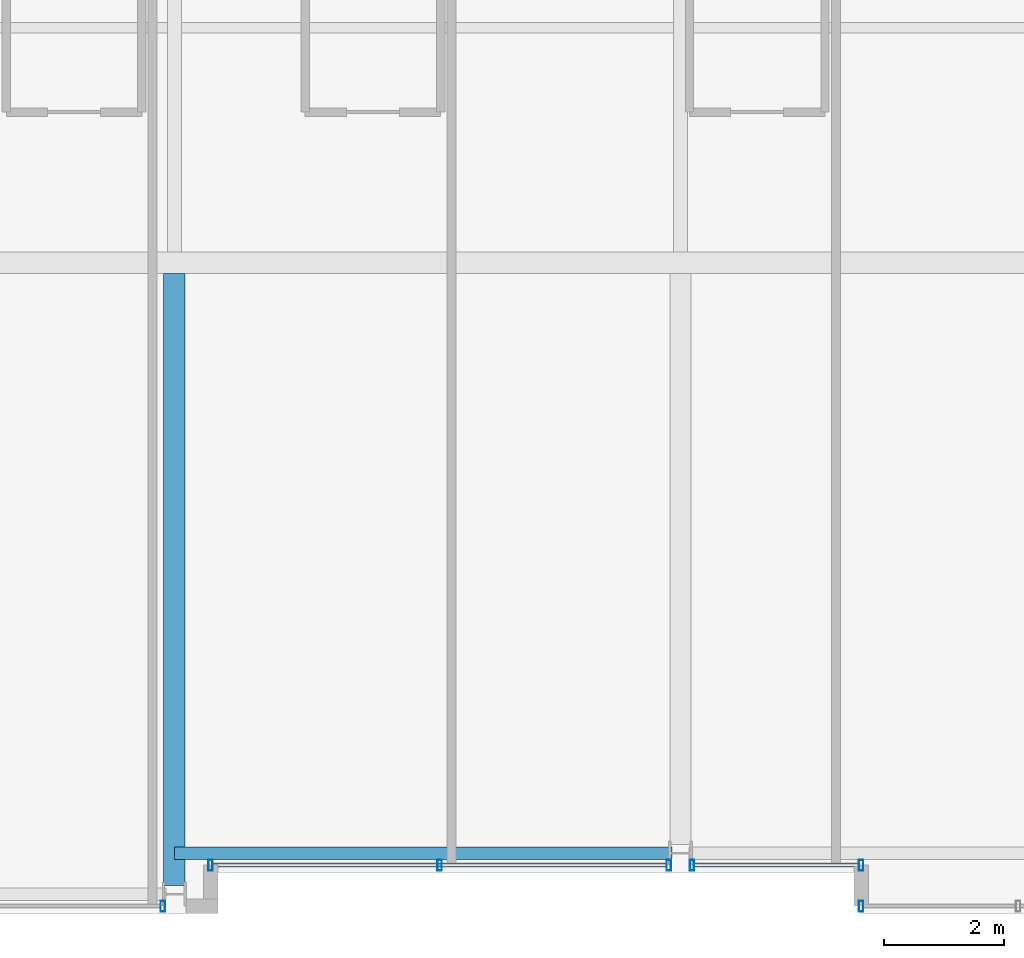
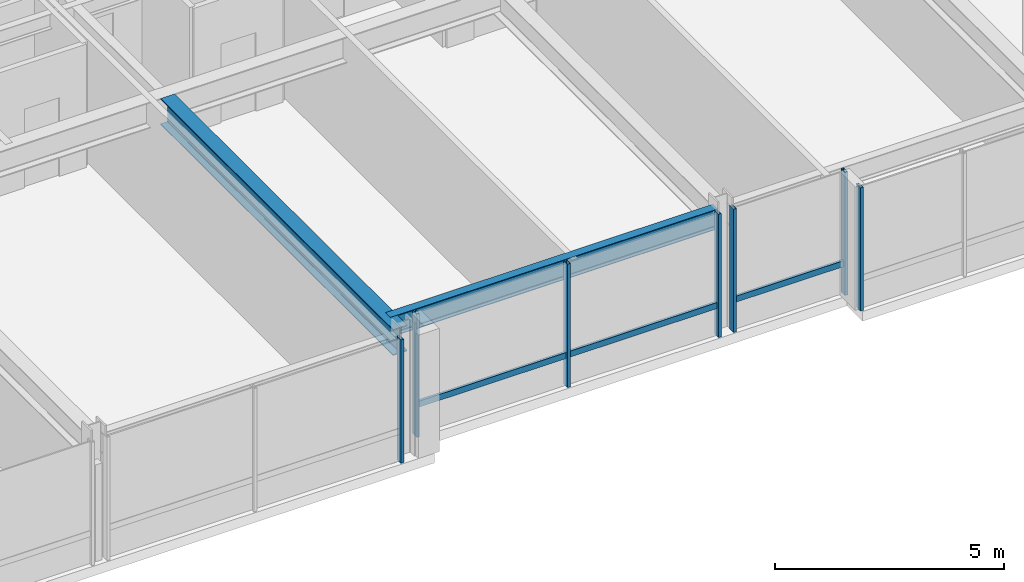
# One storey, part 5 of 33: 9 members, 2 beams, 4 elements without a shape of their own.
"""IFC4 building model written with IfcOpenShell, lengths in metres."""

from ifc_helpers import new_model, si_unit, direction, frame, origin, origin_2d, place, context, subcontext, project, spatial, hollow_rectangle, i_section, extrude, material, layer, layer_set, material_profile, profile_set, type_object, element, aggregate, save


model = new_model("IFC4")

# Units and contexts
model_context = context("Model", 3, precision=1e-05, world=origin(), true_north=direction((0.0, 1.0)))
body_context = subcontext(model_context, "Body", "Model", "MODEL_VIEW")
ifc_project = project(units=[si_unit("LENGTHUNIT", "METRE"), si_unit("AREAUNIT", "SQUARE_METRE"), si_unit("VOLUMEUNIT", "CUBIC_METRE"), si_unit("PLANEANGLEUNIT", "RADIAN"), si_unit("MASSUNIT", "GRAM", prefix="KILO")], contexts=[model_context])

# Site, building, storey
site_placement = place(None, origin())
site = spatial("IfcSite", under=ifc_project, at=site_placement, CompositionType="ELEMENT")
building_placement = place(site_placement, origin())
building = spatial("IfcBuilding", under=site, at=building_placement, Name="Drelvath Grand Hotel", CompositionType="ELEMENT")
storey_placement = place(building_placement, frame((0.0, 0.0, 178.800048828125)))
storey = spatial("IfcBuildingStorey", under=building, at=storey_placement, Name="L46", CompositionType="ELEMENT", Elevation=178.800048828125)

# Curtain wall, member
ifc_material_1 = material(Name="Brushed Pale-Silver Anodised Aluminium Frame", Category="aluminium")
ifc_layer = layer(ifc_material_1, 0.199951171875)
ifc_layer_set = layer_set([ifc_layer], Name="Brushed Pale-Silver Anodised Aluminium Frame")
curtain_wall_type = type_object("IfcCurtainWallType", Name="Stick Curtain Wall CW-04 Brushed Silver Upper-Mid", PredefinedType="NOTDEFINED", material=ifc_layer_set)
curtain_wall_1_placement = place(storey_placement, origin())
curtain_wall_1 = element("IfcCurtainWall", 1, at=curtain_wall_1_placement, inside=storey, type_object=curtain_wall_type, Name="L46 CW-04 Curtain Wall CW04-L46-SM1", PredefinedType="NOTDEFINED")
ifc_material_profile_1 = material_profile(ifc_material_1, hollow_rectangle(XDim=0.06494140625, YDim=0.159912109375, WallThickness=0.00390625, at=origin_2d()), Name="HSS160X65X4")
ifc_profile_set_1 = profile_set([ifc_material_profile_1], Name="Brushed Pale-Silver Anodised Aluminium Frame")
member_type_1 = type_object("IfcMemberType", Name="Curtain Wall Horizontal Transom CW-04 HSS160X65X4", PredefinedType="USERDEFINED", material=ifc_profile_set_1)
member_1_placement = place(storey_placement, frame((-0.231689453125, 0.800048828125, 0.822509765625), z_axis=(-1.0, 0.0, 0.0), x_axis=(0.0, -1.0, 0.0)))
member_1 = element("IfcMember", 2, at=member_1_placement, type_object=member_type_1, Name="CW04-L46-SM1 Sill Transom", ObjectType="TRANSOM", PredefinedType="USERDEFINED", context=body_context, shape_type="SweptSolid", body=[
    extrude(hollow_rectangle(XDim=0.06494140625, YDim=0.159912109375, WallThickness=0.00390625, at=origin_2d()), origin(), (0.0, 0.0, 1.0), 7.5283203125),
])

curtain_wall_2_placement = place(storey_placement, origin())
curtain_wall_2 = element("IfcCurtainWall", 3, at=curtain_wall_2_placement, inside=storey, type_object=curtain_wall_type, Name="L46 CW-04 Curtain Wall CW04-L46-SM2", PredefinedType="NOTDEFINED")
member_2_placement = place(storey_placement, frame((2.9599609375, 0.800048828125, 0.822509765625), z_axis=(-1.0, 0.0, 0.0), x_axis=(0.0, -1.0, 0.0)))
member_2 = element("IfcMember", 4, at=member_2_placement, type_object=member_type_1, Name="CW04-L46-SM2 Sill Transom", ObjectType="TRANSOM", PredefinedType="USERDEFINED", context=body_context, shape_type="SweptSolid", body=[
    extrude(hollow_rectangle(XDim=0.06494140625, YDim=0.159912109375, WallThickness=0.00390625, at=origin_2d()), origin(), (0.0, 0.0, 1.0), 2.728271484375),
])

curtain_wall_3_placement = place(storey_placement, origin())
curtain_wall_3 = element("IfcCurtainWall", 5, at=curtain_wall_3_placement, inside=storey, type_object=curtain_wall_type, Name="L46 CW-04 Curtain Wall CW04-L46-SE1", PredefinedType="NOTDEFINED")
ifc_material_profile_2 = material_profile(ifc_material_1, hollow_rectangle(XDim=0.074951171875, YDim=0.179931640625, WallThickness=0.0048828125, at=origin_2d()), Name="HSS180X75X5")
ifc_profile_set_2 = profile_set([ifc_material_profile_2], Name="Brushed Pale-Silver Anodised Aluminium Frame")
member_type_2 = type_object("IfcMemberType", Name="Curtain Wall Vertical Mullion CW-04 HSS180X75X5", PredefinedType="MULLION", material=ifc_profile_set_2)
member_3_placement = place(storey_placement, frame((3.0, 0.1201171875, 0.0), z_axis=(0.0, 0.0, 1.0), x_axis=(1.0, 0.0, 0.0)))
member_3 = element("IfcMember", 6, at=member_3_placement, type_object=member_type_2, Name="CW04-L46-SE1 Mullion 3", PredefinedType="MULLION", context=body_context, shape_type="SweptSolid", body=[
    extrude(hollow_rectangle(XDim=0.074951171875, YDim=0.179931640625, WallThickness=0.0048828125, at=origin_2d()), origin(), (0.0, 0.0, 1.0), 3.2900390625),
])
aggregate(curtain_wall_3, [member_3])

# Member
member_4_placement = place(storey_placement, frame((-0.191650390625, 0.800048828125, 0.0), z_axis=(0.0, 0.0, 1.0), x_axis=(1.0, 0.0, 0.0)))
member_4 = element("IfcMember", 7, at=member_4_placement, type_object=member_type_2, Name="CW04-L46-SM1 Mullion 1", PredefinedType="MULLION", context=body_context, shape_type="SweptSolid", body=[
    extrude(hollow_rectangle(XDim=0.074951171875, YDim=0.179931640625, WallThickness=0.0048828125, at=origin_2d()), origin(), (0.0, 0.0, 1.0), 3.2900390625),
])

member_5_placement = place(storey_placement, frame((-3.995849609375, 0.800048828125, 0.0), z_axis=(0.0, 0.0, 1.0), x_axis=(1.0, 0.0, 0.0)))
member_5 = element("IfcMember", 8, at=member_5_placement, type_object=member_type_2, Name="CW04-L46-SM1 Mullion 2", PredefinedType="MULLION", context=body_context, shape_type="SweptSolid", body=[
    extrude(hollow_rectangle(XDim=0.074951171875, YDim=0.179931640625, WallThickness=0.0048828125, at=origin_2d()), origin(), (0.0, 0.0, 1.0), 3.2900390625),
])

member_6_placement = place(storey_placement, frame((-7.800048828125, 0.800048828125, 0.0), z_axis=(0.0, 0.0, 1.0), x_axis=(1.0, 0.0, 0.0)))
member_6 = element("IfcMember", 9, at=member_6_placement, type_object=member_type_2, Name="CW04-L46-SM1 Mullion 3", PredefinedType="MULLION", context=body_context, shape_type="SweptSolid", body=[
    extrude(hollow_rectangle(XDim=0.074951171875, YDim=0.179931640625, WallThickness=0.0048828125, at=origin_2d()), origin(), (0.0, 0.0, 1.0), 3.2900390625),
])

aggregate(curtain_wall_1, [member_4, member_5, member_6, member_1])

member_7_placement = place(storey_placement, frame((3.0, 0.800048828125, 0.0), z_axis=(0.0, 0.0, 1.0), x_axis=(1.0, 0.0, 0.0)))
member_7 = element("IfcMember", 10, at=member_7_placement, type_object=member_type_2, Name="CW04-L46-SM2 Mullion 1", PredefinedType="MULLION", context=body_context, shape_type="SweptSolid", body=[
    extrude(hollow_rectangle(XDim=0.074951171875, YDim=0.179931640625, WallThickness=0.0048828125, at=origin_2d()), origin(), (0.0, 0.0, 1.0), 3.2900390625),
])

member_8_placement = place(storey_placement, frame((0.191650390625, 0.800048828125, 0.0), z_axis=(0.0, 0.0, 1.0), x_axis=(1.0, 0.0, 0.0)))
member_8 = element("IfcMember", 11, at=member_8_placement, type_object=member_type_2, Name="CW04-L46-SM2 Mullion 2", PredefinedType="MULLION", context=body_context, shape_type="SweptSolid", body=[
    extrude(hollow_rectangle(XDim=0.074951171875, YDim=0.179931640625, WallThickness=0.0048828125, at=origin_2d()), origin(), (0.0, 0.0, 1.0), 3.2900390625),
])

aggregate(curtain_wall_2, [member_7, member_8, member_2])

# Curtain wall, member
curtain_wall_4_placement = place(storey_placement, origin())
curtain_wall_4 = element("IfcCurtainWall", 12, at=curtain_wall_4_placement, inside=storey, type_object=curtain_wall_type, Name="L46 CW-04 Curtain Wall CW04-L46-SW2", PredefinedType="NOTDEFINED")
member_9_placement = place(storey_placement, frame((-8.591796875, 0.1201171875, 0.0), z_axis=(0.0, 0.0, 1.0), x_axis=(1.0, 0.0, 0.0)))
member_9 = element("IfcMember", 13, at=member_9_placement, type_object=member_type_2, Name="CW04-L46-SW2 Mullion 1", PredefinedType="MULLION", context=body_context, shape_type="SweptSolid", body=[
    extrude(hollow_rectangle(XDim=0.074951171875, YDim=0.179931640625, WallThickness=0.0048828125, at=origin_2d()), origin(), (0.0, 0.0, 1.0), 3.2900390625),
])
aggregate(curtain_wall_4, [member_9])

# Beams
ifc_material_2 = material(Name="Steel ASTM A992 Gr 50", Category="steel")
ifc_material_profile_3 = material_profile(ifc_material_2, i_section(OverallWidth=0.210205078125, OverallDepth=0.53662109375, WebThickness=0.010986328125, FlangeThickness=0.017333984375, FilletRadius=0.01806640625, at=origin_2d()), Name="W21X68")
ifc_profile_set_3 = profile_set([ifc_material_profile_3], Name="Steel ASTM A992 Gr 50")
beam_type_1 = type_object("IfcBeamType", Name="Perimeter Spandrel Beam W21X68", PredefinedType="SPANDREL", material=ifc_profile_set_3)
beam_1_placement = place(storey_placement, frame((-8.39990234375, 1.0, 3.021728515625), z_axis=(1.0, 0.0, 0.0), x_axis=(0.0, 1.0, 0.0)))
element("IfcBeam", 14, at=beam_1_placement, inside=storey, type_object=beam_type_1, Name="L46 Spandrel South Mid W", PredefinedType="SPANDREL", context=body_context, shape_type="SweptSolid", body=[
    extrude(i_section(OverallWidth=0.210205078125, OverallDepth=0.53662109375, WebThickness=0.010986328125, FlangeThickness=0.017333984375, FilletRadius=0.01806640625, at=origin_2d()), origin(), (0.0, 0.0, 1.0), 8.260009765625),
])
ifc_material_profile_4 = material_profile(ifc_material_2, i_section(OverallWidth=0.354736328125, OverallDepth=0.695556640625, WebThickness=0.015380859375, FlangeThickness=0.025146484375, FilletRadius=0.02392578125, at=origin_2d()), Name="W27X146")
ifc_profile_set_4 = profile_set([ifc_material_profile_4], Name="Steel ASTM A992 Gr 50")
beam_type_2 = type_object("IfcBeamType", Name="Primary Floor Girder W27X146", PredefinedType="BEAM", material=ifc_profile_set_4)
beam_2_placement = place(storey_placement, frame((-8.39990234375, 0.4599609375, 2.942138671875), z_axis=(0.0, 1.0, 0.0), x_axis=(-1.0, 0.0, 0.0)))
element("IfcBeam", 15, at=beam_2_placement, inside=storey, type_object=beam_type_2, Name="L46 South Wing Girder 4", PredefinedType="BEAM", context=body_context, shape_type="SweptSolid", body=[
    extrude(i_section(OverallWidth=0.354736328125, OverallDepth=0.695556640625, WebThickness=0.015380859375, FlangeThickness=0.025146484375, FilletRadius=0.02392578125, at=origin_2d()), origin(), (0.0, 0.0, 1.0), 10.16259765625),
])

save(model, "model.ifc")
